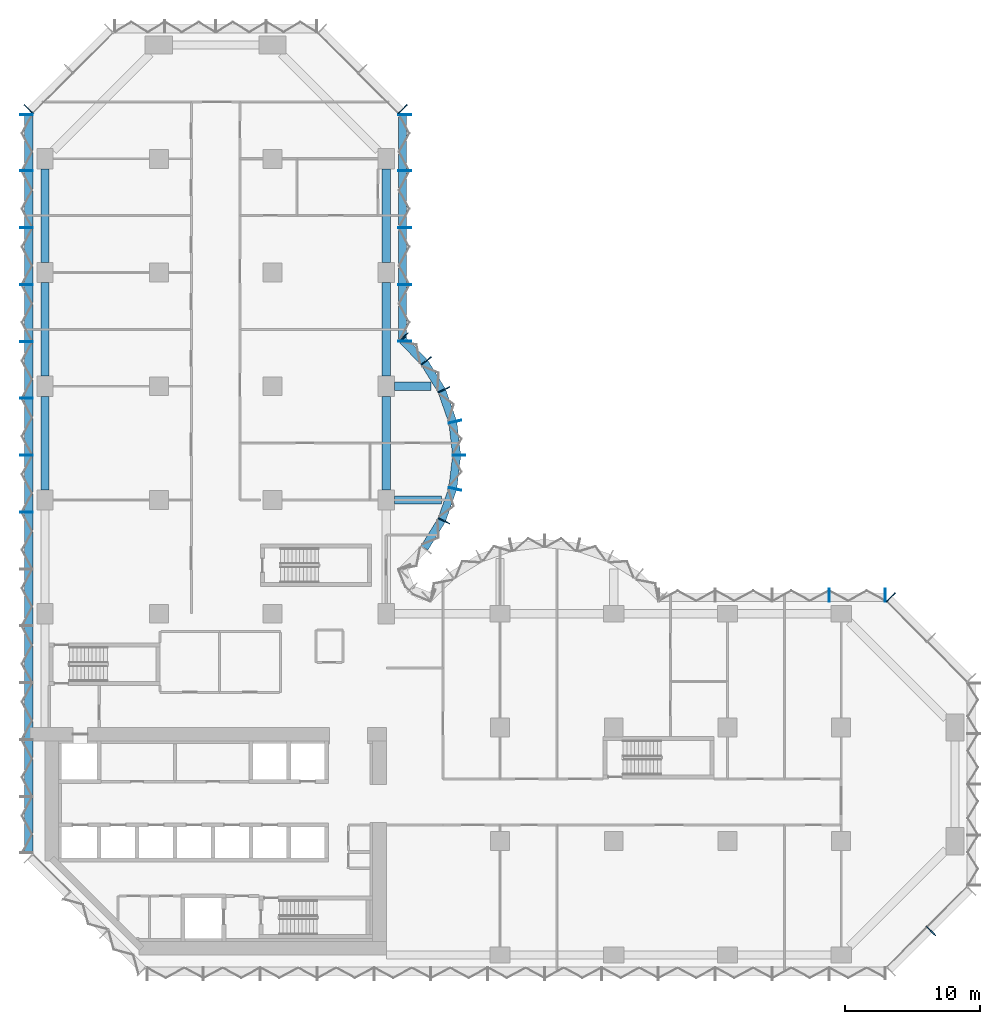
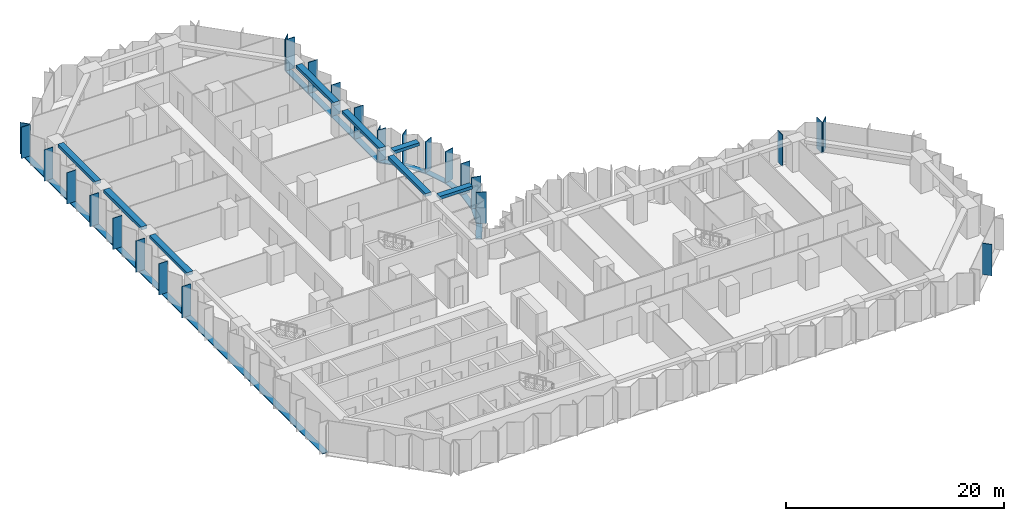
# One storey, part 3 of 15: 35 members, 8 beams, 8 elements without a shape of their own.
"""IFC4 building model written with IfcOpenShell, lengths in metres."""

from ifc_helpers import new_model, si_unit, direction, frame, origin, origin_2d, place, context, subcontext, project, spatial, rectangle, extrude, material, material_profile, profile_set, type_object, element, aggregate, save


model = new_model("IFC4")

# Units and contexts
model_context = context("Model", 3, precision=1e-05, world=origin(), true_north=direction((0.0, 1.0)))
body_context = subcontext(model_context, "Body", "Model", "MODEL_VIEW")
ifc_project = project(units=[si_unit("LENGTHUNIT", "METRE"), si_unit("AREAUNIT", "SQUARE_METRE"), si_unit("VOLUMEUNIT", "CUBIC_METRE"), si_unit("PLANEANGLEUNIT", "RADIAN"), si_unit("MASSUNIT", "GRAM", prefix="KILO")], contexts=[model_context])

# Site, building, storey
site_placement = place(None, origin())
site = spatial("IfcSite", under=ifc_project, at=site_placement, CompositionType="ELEMENT")
building_placement = place(site_placement, origin())
building = spatial("IfcBuilding", under=site, at=building_placement, Name="Brevane Broadcast Tower", CompositionType="ELEMENT")
storey_placement = place(building_placement, frame((0.0, 0.0, 68.89990234375)))
storey = spatial("IfcBuildingStorey", under=building, at=storey_placement, Name="L15", CompositionType="ELEMENT", Elevation=68.89990234375)

# Curtain wall, member
ifc_material_1 = material(Name="Aluminium 6063-T6 bronze anodised", Category="aluminium")
curtain_wall_type = type_object("IfcCurtainWallType", Name="CW-1 curtain wall", PredefinedType="NOTDEFINED", material=ifc_material_1)
curtain_wall_1_placement = place(storey_placement, origin())
curtain_wall_1 = element("IfcCurtainWall", 1, at=curtain_wall_1_placement, inside=storey, type_object=curtain_wall_type, Name="CW-1 typical tilted unit L15 south-east chamfer", PredefinedType="NOTDEFINED")
ifc_material_profile_1 = material_profile(ifc_material_1, rectangle(XDim=0.949951171875, YDim=0.070068359375, at=origin_2d()), Name="RECT 70x950")
ifc_profile_set_1 = profile_set([ifc_material_profile_1], Name="Aluminium 6063-T6 bronze anodised")
member_type_1 = type_object("IfcMemberType", Name="CW-1 mullion 70x950", PredefinedType="MULLION", material=ifc_profile_set_1)
member_1_placement = place(storey_placement, frame((65.435791015625, 1.76416015625, -0.14990234375), z_axis=(0.0, 0.0, 1.0), x_axis=(-0.707106781187, 0.707106781187, 0.0)))
member_1 = element("IfcMember", 2, at=member_1_placement, type_object=member_type_1, Name="CW-1 mullion", PredefinedType="MULLION", context=body_context, shape_type="SweptSolid", body=[
    extrude(rectangle(XDim=0.949951171875, YDim=0.070068359375, at=origin_2d()), origin(), (0.0, 0.0, 1.0), 3.5),
])
aggregate(curtain_wall_1, [member_1])

curtain_wall_2_placement = place(storey_placement, origin())
curtain_wall_2 = element("IfcCurtainWall", 3, at=curtain_wall_2_placement, inside=storey, type_object=curtain_wall_type, Name="CW-1 typical tilted unit L15 north-east chamfer", PredefinedType="NOTDEFINED")
member_2_placement = place(storey_placement, frame((62.460693359375, 26.4111328125, -0.14990234375), z_axis=(0.0, 0.0, 1.0), x_axis=(-0.707106781187, -0.707106781187, 0.0)))
member_2 = element("IfcMember", 4, at=member_2_placement, type_object=member_type_1, Name="CW-1 mullion", PredefinedType="MULLION", context=body_context, shape_type="SweptSolid", body=[
    extrude(rectangle(XDim=0.949951171875, YDim=0.070068359375, at=origin_2d()), origin(), (0.0, 0.0, 1.0), 3.5),
])
aggregate(curtain_wall_2, [member_2])

# Curtain wall, members
curtain_wall_3_placement = place(storey_placement, origin())
curtain_wall_3 = element("IfcCurtainWall", 5, at=curtain_wall_3_placement, inside=storey, type_object=curtain_wall_type, Name="CW-1 typical tilted unit L15 east arm north face", PredefinedType="NOTDEFINED")
member_3_placement = place(storey_placement, frame((62.06494140625, 26.574951171875, -0.14990234375), z_axis=(0.0, 0.0, 1.0), x_axis=(0.0, -1.0, 0.0)))
member_3 = element("IfcMember", 6, at=member_3_placement, type_object=member_type_1, Name="CW-1 mullion", PredefinedType="MULLION", context=body_context, shape_type="SweptSolid", body=[
    extrude(rectangle(XDim=0.949951171875, YDim=0.070068359375, at=origin_2d()), origin(), (0.0, 0.0, 1.0), 3.5),
])
member_4_placement = place(storey_placement, frame((57.89990234375, 26.574951171875, -0.14990234375), z_axis=(0.0, 0.0, 1.0), x_axis=(0.0, -1.0, 0.0)))
member_4 = element("IfcMember", 7, at=member_4_placement, type_object=member_type_1, Name="CW-1 mullion", PredefinedType="MULLION", context=body_context, shape_type="SweptSolid", body=[
    extrude(rectangle(XDim=0.949951171875, YDim=0.070068359375, at=origin_2d()), origin(), (0.0, 0.0, 1.0), 3.5),
])
aggregate(curtain_wall_3, [member_3, member_4])

curtain_wall_4_placement = place(storey_placement, origin())
curtain_wall_4 = element("IfcCurtainWall", 8, at=curtain_wall_4_placement, inside=storey, type_object=curtain_wall_type, Name="CW-1 typical tilted unit L15 north bow", PredefinedType="NOTDEFINED")
member_5_placement = place(storey_placement, frame((29.4580078125, 32.05322265625, -0.14990234375), z_axis=(0.0, 0.0, 1.0), x_axis=(-0.902860508933, 0.429933601163, 0.0)))
member_5 = element("IfcMember", 9, at=member_5_placement, type_object=member_type_1, Name="CW-1 mullion", PredefinedType="MULLION", context=body_context, shape_type="SweptSolid", body=[
    extrude(rectangle(XDim=0.949951171875, YDim=0.070068359375, at=origin_2d()), origin(), (0.0, 0.0, 1.0), 3.5),
])
member_6_placement = place(storey_placement, frame((30.28076171875, 34.411865234375, -0.14990234375), z_axis=(0.0, 0.0, 1.0), x_axis=(-0.974403430594, 0.224806482215, 0.0)))
member_6 = element("IfcMember", 10, at=member_6_placement, type_object=member_type_1, Name="CW-1 mullion", PredefinedType="MULLION", context=body_context, shape_type="SweptSolid", body=[
    extrude(rectangle(XDim=0.949951171875, YDim=0.070068359375, at=origin_2d()), origin(), (0.0, 0.0, 1.0), 3.5),
])
member_7_placement = place(storey_placement, frame((30.574951171875, 36.89990234375, -0.14990234375), z_axis=(0.0, 0.0, 1.0), x_axis=(-1.0, 0.0, 0.0)))
member_7 = element("IfcMember", 11, at=member_7_placement, type_object=member_type_1, Name="CW-1 mullion", PredefinedType="MULLION", context=body_context, shape_type="SweptSolid", body=[
    extrude(rectangle(XDim=0.949951171875, YDim=0.070068359375, at=origin_2d()), origin(), (0.0, 0.0, 1.0), 3.5),
])
member_8_placement = place(storey_placement, frame((30.28076171875, 39.38818359375, -0.14990234375), z_axis=(0.0, 0.0, 1.0), x_axis=(-0.974403430594, -0.224806482215, 0.0)))
member_8 = element("IfcMember", 12, at=member_8_placement, type_object=member_type_1, Name="CW-1 mullion", PredefinedType="MULLION", context=body_context, shape_type="SweptSolid", body=[
    extrude(rectangle(XDim=0.949951171875, YDim=0.070068359375, at=origin_2d()), origin(), (0.0, 0.0, 1.0), 3.5),
])
member_9_placement = place(storey_placement, frame((29.4580078125, 41.746826171875, -0.14990234375), z_axis=(0.0, 0.0, 1.0), x_axis=(-0.902860508933, -0.429933601163, 0.0)))
member_9 = element("IfcMember", 13, at=member_9_placement, type_object=member_type_1, Name="CW-1 mullion", PredefinedType="MULLION", context=body_context, shape_type="SweptSolid", body=[
    extrude(rectangle(XDim=0.949951171875, YDim=0.070068359375, at=origin_2d()), origin(), (0.0, 0.0, 1.0), 3.5),
])
member_10_placement = place(storey_placement, frame((28.1455078125, 43.8720703125, -0.14990234375), z_axis=(0.0, 0.0, 1.0), x_axis=(-0.788706642853, -0.614769738617, 0.0)))
member_10 = element("IfcMember", 14, at=member_10_placement, type_object=member_type_1, Name="CW-1 mullion", PredefinedType="MULLION", context=body_context, shape_type="SweptSolid", body=[
    extrude(rectangle(XDim=0.949951171875, YDim=0.070068359375, at=origin_2d()), origin(), (0.0, 0.0, 1.0), 3.5),
])
member_11_placement = place(storey_placement, frame((26.465087890625, 45.60595703125, -0.14990234375), z_axis=(0.0, 0.0, 1.0), x_axis=(-0.717253872699, -0.696811941702, 0.0)))
member_11 = element("IfcMember", 15, at=member_11_placement, type_object=member_type_1, Name="CW-1 mullion", PredefinedType="MULLION", context=body_context, shape_type="SweptSolid", body=[
    extrude(rectangle(XDim=0.949951171875, YDim=0.070068359375, at=origin_2d()), origin(), (0.0, 0.0, 1.0), 3.5),
])

curtain_wall_5_placement = place(storey_placement, origin())
curtain_wall_5 = element("IfcCurtainWall", 16, at=curtain_wall_5_placement, inside=storey, type_object=curtain_wall_type, Name="CW-1 typical tilted unit L15 north arm east face", PredefinedType="NOTDEFINED")
member_12_placement = place(storey_placement, frame((26.574951171875, 45.3349609375, -0.14990234375), z_axis=(0.0, 0.0, 1.0), x_axis=(-1.0, 0.0, 0.0)))
member_12 = element("IfcMember", 17, at=member_12_placement, type_object=member_type_1, Name="CW-1 mullion", PredefinedType="MULLION", context=body_context, shape_type="SweptSolid", body=[
    extrude(rectangle(XDim=0.949951171875, YDim=0.070068359375, at=origin_2d()), origin(), (0.0, 0.0, 1.0), 3.5),
])
member_13_placement = place(storey_placement, frame((26.574951171875, 49.5, -0.14990234375), z_axis=(0.0, 0.0, 1.0), x_axis=(-1.0, 0.0, 0.0)))
member_13 = element("IfcMember", 18, at=member_13_placement, type_object=member_type_1, Name="CW-1 mullion", PredefinedType="MULLION", context=body_context, shape_type="SweptSolid", body=[
    extrude(rectangle(XDim=0.949951171875, YDim=0.070068359375, at=origin_2d()), origin(), (0.0, 0.0, 1.0), 3.5),
])
member_14_placement = place(storey_placement, frame((26.574951171875, 53.699951171875, -0.14990234375), z_axis=(0.0, 0.0, 1.0), x_axis=(-1.0, 0.0, 0.0)))
member_14 = element("IfcMember", 19, at=member_14_placement, type_object=member_type_1, Name="CW-1 mullion", PredefinedType="MULLION", context=body_context, shape_type="SweptSolid", body=[
    extrude(rectangle(XDim=0.949951171875, YDim=0.070068359375, at=origin_2d()), origin(), (0.0, 0.0, 1.0), 3.5),
])
member_15_placement = place(storey_placement, frame((26.574951171875, 57.89990234375, -0.14990234375), z_axis=(0.0, 0.0, 1.0), x_axis=(-1.0, 0.0, 0.0)))
member_15 = element("IfcMember", 20, at=member_15_placement, type_object=member_type_1, Name="CW-1 mullion", PredefinedType="MULLION", context=body_context, shape_type="SweptSolid", body=[
    extrude(rectangle(XDim=0.949951171875, YDim=0.070068359375, at=origin_2d()), origin(), (0.0, 0.0, 1.0), 3.5),
])
member_16_placement = place(storey_placement, frame((26.574951171875, 62.06494140625, -0.14990234375), z_axis=(0.0, 0.0, 1.0), x_axis=(-1.0, 0.0, 0.0)))
member_16 = element("IfcMember", 21, at=member_16_placement, type_object=member_type_1, Name="CW-1 mullion", PredefinedType="MULLION", context=body_context, shape_type="SweptSolid", body=[
    extrude(rectangle(XDim=0.949951171875, YDim=0.070068359375, at=origin_2d()), origin(), (0.0, 0.0, 1.0), 3.5),
])

# Curtain wall, member
curtain_wall_6_placement = place(storey_placement, origin())
curtain_wall_6 = element("IfcCurtainWall", 22, at=curtain_wall_6_placement, inside=storey, type_object=curtain_wall_type, Name="CW-1 typical tilted unit L15 north arm north-east chamfer", PredefinedType="NOTDEFINED")
member_17_placement = place(storey_placement, frame((26.4111328125, 62.460693359375, -0.14990234375), z_axis=(0.0, 0.0, 1.0), x_axis=(-0.707106781187, -0.707106781187, 0.0)))
member_17 = element("IfcMember", 23, at=member_17_placement, type_object=member_type_1, Name="CW-1 mullion", PredefinedType="MULLION", context=body_context, shape_type="SweptSolid", body=[
    extrude(rectangle(XDim=0.949951171875, YDim=0.070068359375, at=origin_2d()), origin(), (0.0, 0.0, 1.0), 3.5),
])
aggregate(curtain_wall_6, [member_17])

curtain_wall_7_placement = place(storey_placement, origin())
curtain_wall_7 = element("IfcCurtainWall", 24, at=curtain_wall_7_placement, inside=storey, type_object=curtain_wall_type, Name="CW-1 typical tilted unit L15 north-west chamfer", PredefinedType="NOTDEFINED")
member_18_placement = place(storey_placement, frame((-1.211181640625, 62.460693359375, -0.14990234375), z_axis=(0.0, 0.0, 1.0), x_axis=(0.707106781187, -0.707106781187, 0.0)))
member_18 = element("IfcMember", 25, at=member_18_placement, type_object=member_type_1, Name="CW-1 mullion", PredefinedType="MULLION", context=body_context, shape_type="SweptSolid", body=[
    extrude(rectangle(XDim=0.949951171875, YDim=0.070068359375, at=origin_2d()), origin(), (0.0, 0.0, 1.0), 3.5),
])
aggregate(curtain_wall_7, [member_18])

# Curtain wall, members
curtain_wall_8_placement = place(storey_placement, origin())
curtain_wall_8 = element("IfcCurtainWall", 26, at=curtain_wall_8_placement, inside=storey, type_object=curtain_wall_type, Name="CW-1 typical tilted unit L15 west face", PredefinedType="NOTDEFINED")
member_19_placement = place(storey_placement, frame((-1.375, 62.06494140625, -0.14990234375), z_axis=(0.0, 0.0, 1.0), x_axis=(1.0, 0.0, 0.0)))
member_19 = element("IfcMember", 27, at=member_19_placement, type_object=member_type_1, Name="CW-1 mullion", PredefinedType="MULLION", context=body_context, shape_type="SweptSolid", body=[
    extrude(rectangle(XDim=0.949951171875, YDim=0.070068359375, at=origin_2d()), origin(), (0.0, 0.0, 1.0), 3.5),
])
member_20_placement = place(storey_placement, frame((-1.375, 57.89990234375, -0.14990234375), z_axis=(0.0, 0.0, 1.0), x_axis=(1.0, 0.0, 0.0)))
member_20 = element("IfcMember", 28, at=member_20_placement, type_object=member_type_1, Name="CW-1 mullion", PredefinedType="MULLION", context=body_context, shape_type="SweptSolid", body=[
    extrude(rectangle(XDim=0.949951171875, YDim=0.070068359375, at=origin_2d()), origin(), (0.0, 0.0, 1.0), 3.5),
])
member_21_placement = place(storey_placement, frame((-1.375, 53.699951171875, -0.14990234375), z_axis=(0.0, 0.0, 1.0), x_axis=(1.0, 0.0, 0.0)))
member_21 = element("IfcMember", 29, at=member_21_placement, type_object=member_type_1, Name="CW-1 mullion", PredefinedType="MULLION", context=body_context, shape_type="SweptSolid", body=[
    extrude(rectangle(XDim=0.949951171875, YDim=0.070068359375, at=origin_2d()), origin(), (0.0, 0.0, 1.0), 3.5),
])
member_22_placement = place(storey_placement, frame((-1.375, 49.5, -0.14990234375), z_axis=(0.0, 0.0, 1.0), x_axis=(1.0, 0.0, 0.0)))
member_22 = element("IfcMember", 30, at=member_22_placement, type_object=member_type_1, Name="CW-1 mullion", PredefinedType="MULLION", context=body_context, shape_type="SweptSolid", body=[
    extrude(rectangle(XDim=0.949951171875, YDim=0.070068359375, at=origin_2d()), origin(), (0.0, 0.0, 1.0), 3.5),
])
member_23_placement = place(storey_placement, frame((-1.375, 45.300048828125, -0.14990234375), z_axis=(0.0, 0.0, 1.0), x_axis=(1.0, 0.0, 0.0)))
member_23 = element("IfcMember", 31, at=member_23_placement, type_object=member_type_1, Name="CW-1 mullion", PredefinedType="MULLION", context=body_context, shape_type="SweptSolid", body=[
    extrude(rectangle(XDim=0.949951171875, YDim=0.070068359375, at=origin_2d()), origin(), (0.0, 0.0, 1.0), 3.5),
])
member_24_placement = place(storey_placement, frame((-1.375, 41.10009765625, -0.14990234375), z_axis=(0.0, 0.0, 1.0), x_axis=(1.0, 0.0, 0.0)))
member_24 = element("IfcMember", 32, at=member_24_placement, type_object=member_type_1, Name="CW-1 mullion", PredefinedType="MULLION", context=body_context, shape_type="SweptSolid", body=[
    extrude(rectangle(XDim=0.949951171875, YDim=0.070068359375, at=origin_2d()), origin(), (0.0, 0.0, 1.0), 3.5),
])
member_25_placement = place(storey_placement, frame((-1.375, 36.89990234375, -0.14990234375), z_axis=(0.0, 0.0, 1.0), x_axis=(1.0, 0.0, 0.0)))
member_25 = element("IfcMember", 33, at=member_25_placement, type_object=member_type_1, Name="CW-1 mullion", PredefinedType="MULLION", context=body_context, shape_type="SweptSolid", body=[
    extrude(rectangle(XDim=0.949951171875, YDim=0.070068359375, at=origin_2d()), origin(), (0.0, 0.0, 1.0), 3.5),
])
member_26_placement = place(storey_placement, frame((-1.375, 32.699951171875, -0.14990234375), z_axis=(0.0, 0.0, 1.0), x_axis=(1.0, 0.0, 0.0)))
member_26 = element("IfcMember", 34, at=member_26_placement, type_object=member_type_1, Name="CW-1 mullion", PredefinedType="MULLION", context=body_context, shape_type="SweptSolid", body=[
    extrude(rectangle(XDim=0.949951171875, YDim=0.070068359375, at=origin_2d()), origin(), (0.0, 0.0, 1.0), 3.5),
])

# Member
ifc_material_profile_2 = material_profile(ifc_material_1, rectangle(XDim=0.60009765625, YDim=0.10009765625, at=origin_2d()), Name="RECT 100x600")
ifc_profile_set_2 = profile_set([ifc_material_profile_2], Name="Aluminium 6063-T6 bronze anodised")
member_type_2 = type_object("IfcMemberType", Name="CW-1 transom 100x600", PredefinedType="USERDEFINED", material=ifc_profile_set_2)
member_27_placement = place(storey_placement, frame((28.023193359375, 30.0576171875, -0.199951171875), z_axis=(0.525427766759, 0.850838211365, 0.0), x_axis=(-0.850838211365, 0.525427766759, 0.0)))
member_27 = element("IfcMember", 35, at=member_27_placement, type_object=member_type_2, Name="CW-1 transom", ObjectType="TRANSOM", PredefinedType="USERDEFINED", context=body_context, shape_type="SweptSolid", body=[
    extrude(rectangle(XDim=0.60009765625, YDim=0.10009765625, at=origin_2d()), origin(), (0.0, 0.0, 1.0), 2.394775390625),
])

member_28_placement = place(storey_placement, frame((29.314208984375, 32.163818359375, -0.199951171875), z_axis=(0.329378497041, 0.944197969542, 0.0), x_axis=(-0.944197969542, 0.329378497041, 0.0)))
member_28 = element("IfcMember", 36, at=member_28_placement, type_object=member_type_2, Name="CW-1 transom", ObjectType="TRANSOM", PredefinedType="USERDEFINED", context=body_context, shape_type="SweptSolid", body=[
    extrude(rectangle(XDim=0.60009765625, YDim=0.10009765625, at=origin_2d()), origin(), (0.0, 0.0, 1.0), 2.394775390625),
])

member_29_placement = place(storey_placement, frame((30.117431640625, 34.499755859375, -0.199951171875), z_axis=(0.117603307202, 0.993060653805, 0.0), x_axis=(-0.993060653805, 0.117603307202, 0.0)))
member_29 = element("IfcMember", 37, at=member_29_placement, type_object=member_type_2, Name="CW-1 transom", ObjectType="TRANSOM", PredefinedType="USERDEFINED", context=body_context, shape_type="SweptSolid", body=[
    extrude(rectangle(XDim=0.60009765625, YDim=0.10009765625, at=origin_2d()), origin(), (0.0, 0.0, 1.0), 2.397705078125),
])

member_30_placement = place(storey_placement, frame((30.3994140625, 36.9189453125, -0.199951171875), z_axis=(-0.117591417, 0.993062061831, 0.0), x_axis=(-0.993062061831, -0.117591417, 0.0)))
member_30 = element("IfcMember", 38, at=member_30_placement, type_object=member_type_2, Name="CW-1 transom", ObjectType="TRANSOM", PredefinedType="USERDEFINED", context=body_context, shape_type="SweptSolid", body=[
    extrude(rectangle(XDim=0.60009765625, YDim=0.10009765625, at=origin_2d()), origin(), (0.0, 0.0, 1.0), 2.39794921875),
])

member_31_placement = place(storey_placement, frame((30.10302734375, 39.375, -0.199951171875), z_axis=(-0.329378497041, 0.944197969542, 0.0), x_axis=(-0.944197969542, -0.329378497041, 0.0)))
member_31 = element("IfcMember", 39, at=member_31_placement, type_object=member_type_2, Name="CW-1 transom", ObjectType="TRANSOM", PredefinedType="USERDEFINED", context=body_context, shape_type="SweptSolid", body=[
    extrude(rectangle(XDim=0.60009765625, YDim=0.10009765625, at=origin_2d()), origin(), (0.0, 0.0, 1.0), 2.394775390625),
])

member_32_placement = place(storey_placement, frame((29.281494140625, 41.704833984375, -0.199951171875), z_axis=(-0.525473345162, 0.850810063131, 0.0), x_axis=(-0.850810063131, -0.525473345162, 0.0)))
member_32 = element("IfcMember", 40, at=member_32_placement, type_object=member_type_2, Name="CW-1 transom", ObjectType="TRANSOM", PredefinedType="USERDEFINED", context=body_context, shape_type="SweptSolid", body=[
    extrude(rectangle(XDim=0.60009765625, YDim=0.10009765625, at=origin_2d()), origin(), (0.0, 0.0, 1.0), 2.39453125),
])

member_33_placement = place(storey_placement, frame((27.974365234375, 43.800537109375, -0.199951171875), z_axis=(-0.696823999134, 0.71724215871, 0.0), x_axis=(-0.71724215871, -0.696823999134, 0.0)))
member_33 = element("IfcMember", 41, at=member_33_placement, type_object=member_type_2, Name="CW-1 transom", ObjectType="TRANSOM", PredefinedType="USERDEFINED", context=body_context, shape_type="SweptSolid", body=[
    extrude(rectangle(XDim=0.60009765625, YDim=0.10009765625, at=origin_2d()), origin(), (0.0, 0.0, 1.0), 2.247802734375),
])

aggregate(curtain_wall_4, [member_5, member_6, member_7, member_8, member_9, member_10, member_11, member_27, member_28, member_29, member_30, member_31, member_32, member_33])

member_34_placement = place(storey_placement, frame((26.39990234375, 45.300048828125, -0.199951171875), z_axis=(0.0, 1.0, 0.0), x_axis=(-1.0, 0.0, 0.0)))
member_34 = element("IfcMember", 42, at=member_34_placement, type_object=member_type_2, Name="CW-1 transom", ObjectType="TRANSOM", PredefinedType="USERDEFINED", context=body_context, shape_type="SweptSolid", body=[
    extrude(rectangle(XDim=0.60009765625, YDim=0.10009765625, at=origin_2d()), origin(), (0.0, 0.0, 1.0), 16.800048828125),
])

aggregate(curtain_wall_5, [member_12, member_13, member_14, member_15, member_16, member_34])

member_35_placement = place(storey_placement, frame((-1.199951171875, 62.10009765625, -0.199951171875), z_axis=(0.0, -1.0, 0.0), x_axis=(1.0, 0.0, 0.0)))
member_35 = element("IfcMember", 43, at=member_35_placement, type_object=member_type_2, Name="CW-1 transom", ObjectType="TRANSOM", PredefinedType="USERDEFINED", context=body_context, shape_type="SweptSolid", body=[
    extrude(rectangle(XDim=0.60009765625, YDim=0.10009765625, at=origin_2d()), origin(), (0.0, 0.0, 1.0), 54.60009765625),
])

aggregate(curtain_wall_8, [member_19, member_20, member_21, member_22, member_23, member_24, member_25, member_26, member_35])

# Beams
ifc_material_2 = material(Name="Concrete C40/50", Category="concrete")
ifc_material_profile_3 = material_profile(ifc_material_2, rectangle(XDim=0.60009765625, YDim=0.35009765625, at=origin_2d()), Name="RC 600x350")
ifc_profile_set_3 = profile_set([ifc_material_profile_3], Name="Concrete C40/50")
beam_type_1 = type_object("IfcBeamType", Name="RC BRACKET BEAM 600x350 C40/50", PredefinedType="BEAM", material=ifc_profile_set_3)
beam_1_placement = place(storey_placement, frame((25.800048828125, 33.60009765625, 3.175048828125), z_axis=(1.0, 0.0, 0.0), x_axis=(0.0, 1.0, 0.0)))
element("IfcBeam", 44, at=beam_1_placement, inside=storey, type_object=beam_type_1, Name="EB2 L15-1", PredefinedType="BEAM", context=body_context, shape_type="SweptSolid", body=[
    extrude(rectangle(XDim=0.60009765625, YDim=0.35009765625, at=origin_2d()), origin(), (0.0, 0.0, 1.0), 3.4619140625),
])
beam_2_placement = place(storey_placement, frame((25.800048828125, 42.0, 3.175048828125), z_axis=(1.0, 0.0, 0.0), x_axis=(0.0, 1.0, 0.0)))
element("IfcBeam", 45, at=beam_2_placement, inside=storey, type_object=beam_type_1, Name="EB2 L15-2", PredefinedType="BEAM", context=body_context, shape_type="SweptSolid", body=[
    extrude(rectangle(XDim=0.60009765625, YDim=0.35009765625, at=origin_2d()), origin(), (0.0, 0.0, 1.0), 2.71142578125),
])
ifc_material_profile_4 = material_profile(ifc_material_2, rectangle(XDim=0.60009765625, YDim=0.35009765625, at=origin_2d()), Name="RC 600x350")
ifc_profile_set_4 = profile_set([ifc_material_profile_4], Name="Concrete C40/50")
beam_type_2 = type_object("IfcBeamType", Name="RC SPANDREL BEAM 600x350 C40/50", PredefinedType="SPANDREL", material=ifc_profile_set_4)
for number, where, z_axis, x_axis, name in (
    (46, (25.199951171875, 34.35009765625, 3.175048828125), (0.0, 1.0, 0.0), (-1.0, 0.0, 0.0), "EB1 L15-13"),
    (47, (25.199951171875, 42.75, 3.175048828125), (0.0, 1.0, 0.0), (-1.0, 0.0, 0.0), "EB1 L15-14"),
):
    element("IfcBeam", number, at=place(storey_placement, frame(where, z_axis=z_axis, x_axis=x_axis)), inside=storey, type_object=beam_type_2, Name=name, PredefinedType="SPANDREL", context=body_context, shape_type="SweptSolid", body=[
        extrude(rectangle(XDim=0.60009765625, YDim=0.35009765625, at=origin_2d()), origin(), (0.0, 0.0, 1.0), 6.89990234375),
    ])
for number, where, z_axis, x_axis, name in (
    (48, (25.199951171875, 51.14990234375, 3.175048828125), (0.0, 1.0, 0.0), (-1.0, 0.0, 0.0), "EB1 L15-15"),
    (49, (0.0, 58.050048828125, 3.175048828125), (0.0, -1.0, 0.0), (1.0, 0.0, 0.0), "EB1 L15-19"),
):
    element("IfcBeam", number, at=place(storey_placement, frame(where, z_axis=z_axis, x_axis=x_axis)), inside=storey, type_object=beam_type_2, Name=name, PredefinedType="SPANDREL", context=body_context, shape_type="SweptSolid", body=[
        extrude(rectangle(XDim=0.60009765625, YDim=0.35009765625, at=origin_2d()), origin(), (0.0, 0.0, 1.0), 6.900146484375),
    ])
for number, where, z_axis, x_axis, name in (
    (50, (0.0, 49.64990234375, 3.175048828125), (0.0, -1.0, 0.0), (1.0, 0.0, 0.0), "EB1 L15-20"),
    (51, (0.0, 41.25, 3.175048828125), (0.0, -1.0, 0.0), (1.0, 0.0, 0.0), "EB1 L15-21"),
):
    element("IfcBeam", number, at=place(storey_placement, frame(where, z_axis=z_axis, x_axis=x_axis)), inside=storey, type_object=beam_type_2, Name=name, PredefinedType="SPANDREL", context=body_context, shape_type="SweptSolid", body=[
        extrude(rectangle(XDim=0.60009765625, YDim=0.35009765625, at=origin_2d()), origin(), (0.0, 0.0, 1.0), 6.89990234375),
    ])

save(model, "model.ifc")
